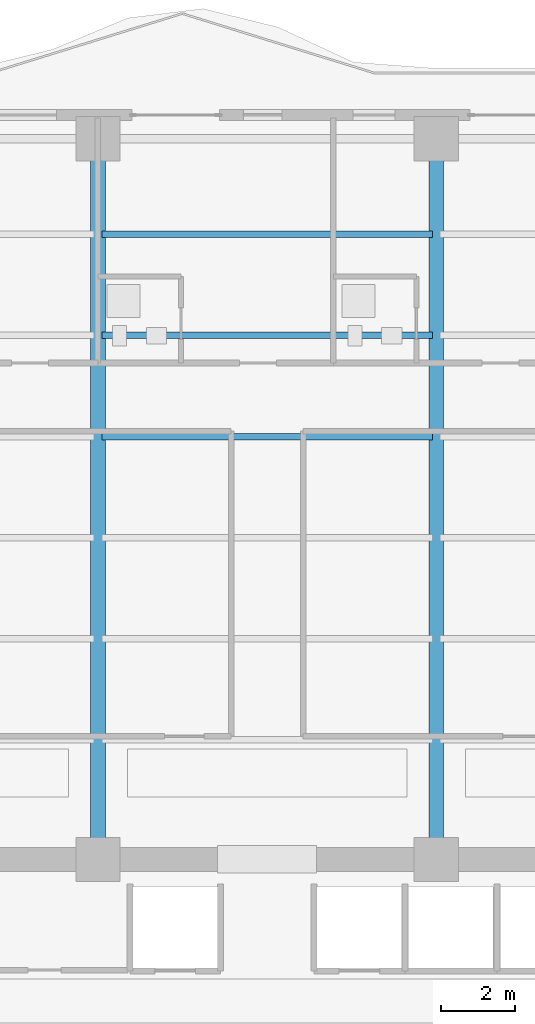
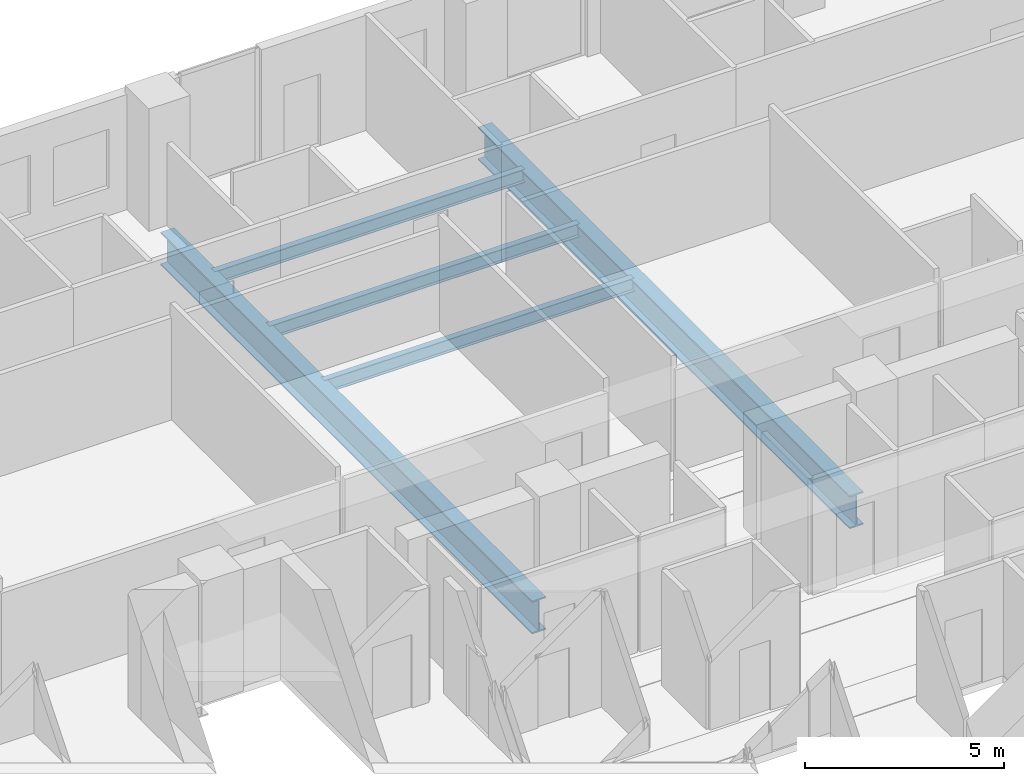
# One storey, part 18 of 32: 5 beams.
"""IFC4 building model written with IfcOpenShell, lengths in metres."""

from ifc_helpers import new_model, si_unit, direction, frame, origin, origin_2d, place, context, subcontext, project, spatial, i_section, extrude, material, material_profile, profile_set, type_object, element, save


model = new_model("IFC4")

# Units and contexts
model_context = context("Model", 3, precision=1e-05, world=origin(), true_north=direction((0.0, 1.0)))
body_context = subcontext(model_context, "Body", "Model", "MODEL_VIEW")
ifc_project = project(units=[si_unit("LENGTHUNIT", "METRE"), si_unit("AREAUNIT", "SQUARE_METRE"), si_unit("VOLUMEUNIT", "CUBIC_METRE"), si_unit("PLANEANGLEUNIT", "RADIAN"), si_unit("MASSUNIT", "GRAM", prefix="KILO")], contexts=[model_context])

# Site, building, storey
site_placement = place(None, origin())
site = spatial("IfcSite", under=ifc_project, at=site_placement, CompositionType="ELEMENT")
building_placement = place(site_placement, origin())
building = spatial("IfcBuilding", under=site, at=building_placement, Name="Zuhayl Quay Hotel", CompositionType="ELEMENT")
storey_placement = place(building_placement, frame((0.0, 0.0, 181.14990234375)))
storey = spatial("IfcBuildingStorey", under=building, at=storey_placement, Name="L45", CompositionType="ELEMENT", Elevation=181.14990234375)

# Beams
ifc_material = material(Name="Steel ASTM A992 Grade 50", Category="steel")
ifc_material_profile_1 = material_profile(ifc_material, i_section(OverallWidth=0.177978515625, OverallDepth=0.406005859375, WebThickness=0.0078125, FlangeThickness=0.0126953125, at=origin_2d()), Name="W16X40")
ifc_profile_set_1 = profile_set([ifc_material_profile_1], Name="Steel ASTM A992 Grade 50")
beam_type_1 = type_object("IfcBeamType", Name="BM_J2B_W16X40", PredefinedType="JOIST", material=ifc_profile_set_1)
for number, where, z_axis, x_axis, name in (
    (1, (-4.493896484375, 24.85009765625, -0.4228515625), (1.0, 0.0, 0.0), (0.0, 1.0, 0.0), "L45 Floor Beam FJ_L45_4_2"),
    (2, (-4.493896484375, 27.60009765625, -0.4228515625), (1.0, 0.0, 0.0), (0.0, 1.0, 0.0), "L45 Floor Beam FJ_L45_5_2"),
    (3, (-4.493896484375, 30.35009765625, -0.4228515625), (1.0, 0.0, 0.0), (0.0, 1.0, 0.0), "L45 Floor Beam FJ_L45_6_2"),
):
    element("IfcBeam", number, at=place(storey_placement, frame(where, z_axis=z_axis, x_axis=x_axis)), inside=storey, type_object=beam_type_1, Name=name, PredefinedType="JOIST", context=body_context, shape_type="SweptSolid", body=[
        extrude(i_section(OverallWidth=0.177978515625, OverallDepth=0.406005859375, WebThickness=0.0078125, FlangeThickness=0.0126953125, at=origin_2d()), origin(), (0.0, 0.0, 1.0), 8.98779296875),
    ])
ifc_material_profile_2 = material_profile(ifc_material, i_section(OverallWidth=0.40087890625, OverallDepth=1.010986328125, WebThickness=0.023681640625, FlangeThickness=0.0419921875, at=origin_2d()), Name="W40X297")
ifc_profile_set_2 = profile_set([ifc_material_profile_2], Name="Steel ASTM A992 Grade 50")
beam_type_2 = type_object("IfcBeamType", Name="BM_TG2_W40X297", PredefinedType="BEAM", material=ifc_profile_set_2)
for number, where, z_axis, x_axis, name in (
    (4, (-4.60009765625, 13.800048828125, -0.725341796875), (0.0, 1.0, 0.0), (-1.0, 0.0, 0.0), "L45 Floor Beam FG_N_L45_2"),
    (5, (4.60009765625, 13.800048828125, -0.725341796875), (0.0, 1.0, 0.0), (-1.0, 0.0, 0.0), "L45 Floor Beam FG_N_L45_3"),
):
    element("IfcBeam", number, at=place(storey_placement, frame(where, z_axis=z_axis, x_axis=x_axis)), inside=storey, type_object=beam_type_2, Name=name, PredefinedType="BEAM", context=body_context, shape_type="SweptSolid", body=[
        extrude(i_section(OverallWidth=0.40087890625, OverallDepth=1.010986328125, WebThickness=0.023681640625, FlangeThickness=0.0419921875, at=origin_2d()), origin(), (0.0, 0.0, 1.0), 18.64990234375),
    ])

save(model, "model.ifc")
